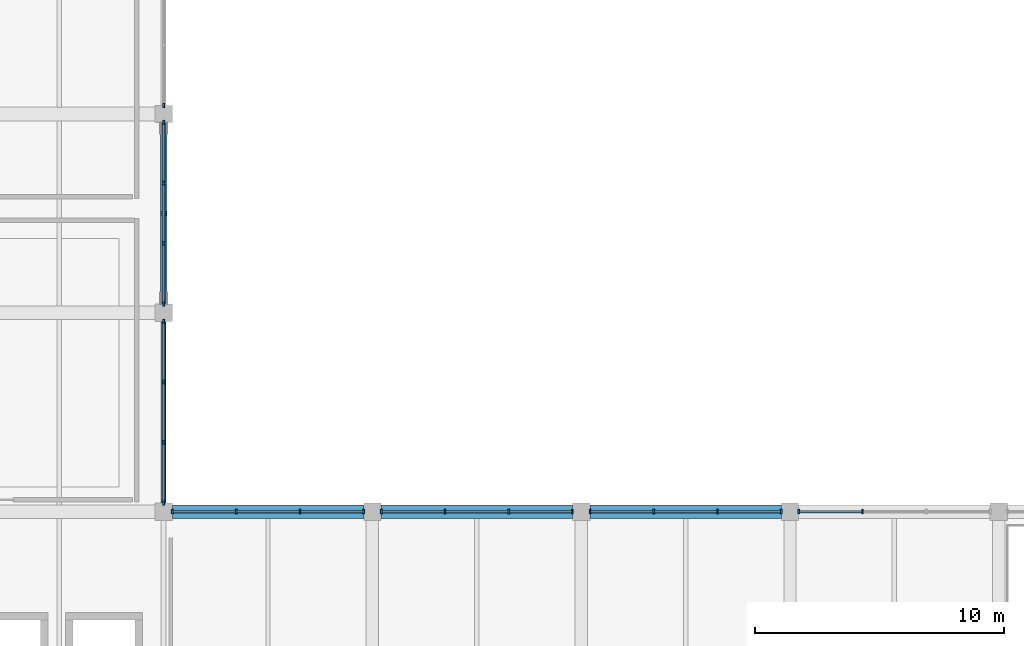
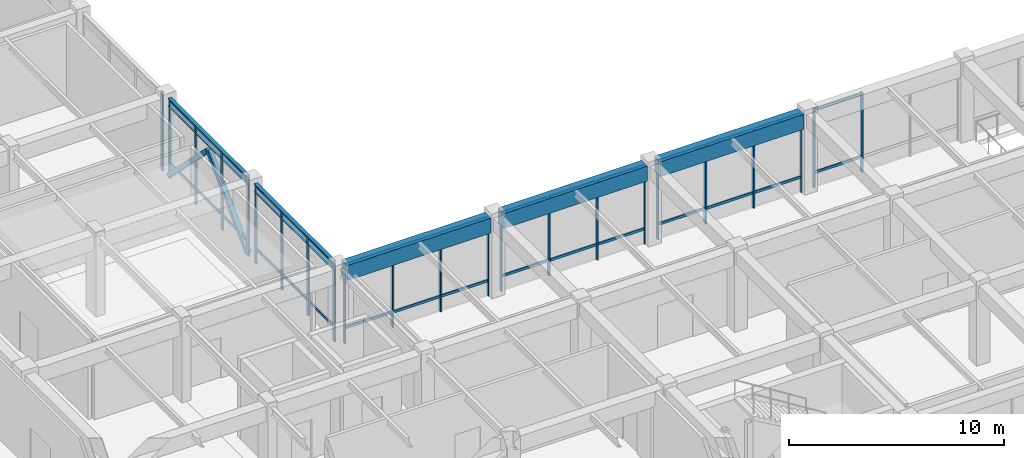
# One storey, part 20 of 76: 57 members, 5 beams, 7 elements without a shape of their own.
"""IFC4 building model written with IfcOpenShell, lengths in metres."""

from ifc_helpers import new_model, si_unit, direction, frame, origin, origin_2d, place, context, subcontext, project, spatial, rectangle, hollow_rectangle, i_section, extrude, material, layer, layer_set, material_profile, profile_set, type_object, element, aggregate, save


model = new_model("IFC4")

# Units and contexts
model_context = context("Model", 3, precision=1e-05, world=origin(), true_north=direction((0.0, 1.0)))
body_context = subcontext(model_context, "Body", "Model", "MODEL_VIEW")
ifc_project = project(units=[si_unit("LENGTHUNIT", "METRE"), si_unit("AREAUNIT", "SQUARE_METRE"), si_unit("VOLUMEUNIT", "CUBIC_METRE"), si_unit("PLANEANGLEUNIT", "RADIAN"), si_unit("MASSUNIT", "GRAM", prefix="KILO")], contexts=[model_context])

# Site, building, storey
site_placement = place(None, origin())
site = spatial("IfcSite", under=ifc_project, at=site_placement, CompositionType="ELEMENT")
building_placement = place(site_placement, origin())
building = spatial("IfcBuilding", under=site, at=building_placement, Name="Naruveol Harbour Congress Hotel", CompositionType="ELEMENT")
storey_placement = place(building_placement, frame((0.0, 0.0, 11.39990234375)))
storey = spatial("IfcBuildingStorey", under=building, at=storey_placement, Name="L02", CompositionType="ELEMENT", Elevation=11.39990234375)

# Beams
ifc_material_1 = material(Name="Concrete C40/50", Category="concrete")
ifc_material_profile_1 = material_profile(ifc_material_1, rectangle(XDim=0.550048828125, YDim=0.85009765625, at=origin_2d()), Name="RCB-550x850")
ifc_profile_set_1 = profile_set([ifc_material_profile_1], Name="Concrete C40/50")
beam_type_1 = type_object("IfcBeamType", Name="RC PRIMARY GIRDER 550X850", PredefinedType="BEAM", material=ifc_profile_set_1)
for number, where, z_axis, x_axis, name in (
    (1, (67.5458984375, 32.0, 4.114990234375), (1.0, 0.0, 0.0), (0.0, 1.0, 0.0), "Floor girder L03 CB2"),
    (2, (75.946044921875, 32.0, 4.125), (1.0, 0.0, 0.0), (0.0, 1.0, 0.0), "Floor girder L03 CB2"),
    (3, (84.345947265625, 32.0, 4.125), (1.0, 0.0, 0.0), (0.0, 1.0, 0.0), "Floor girder L03 CB2"),
):
    element("IfcBeam", number, at=place(storey_placement, frame(where, z_axis=z_axis, x_axis=x_axis)), inside=storey, type_object=beam_type_1, Name=name, PredefinedType="BEAM", context=body_context, shape_type="SweptSolid", body=[
        extrude(rectangle(XDim=0.550048828125, YDim=0.85009765625, at=origin_2d()), origin(), (0.0, 0.0, 1.0), 7.7080078125),
    ])

# Members
ifc_material_2 = material(Name="Steel SN490", Category="steel")
ifc_material_profile_2 = material_profile(ifc_material_2, hollow_rectangle(XDim=0.25, YDim=0.25, WallThickness=0.011962890625, at=origin_2d()), Name="SHS-250x250x12")
ifc_profile_set_2 = profile_set([ifc_material_profile_2], Name="Steel SN490")
member_type_1 = type_object("IfcMemberType", Name="STEEL LATERAL FRAME BRACE SHS250", PredefinedType="BRACE", material=ifc_profile_set_2)
for number, where, z_axis, x_axis, name in (
    (4, (67.199951171875, 40.340087890625, 0.16015625), (0.0, 0.710013585149, 0.704187978387), (-1.0, 0.0, 0.0), "Lateral chevron brace L02 #20A"),
    (5, (67.199951171875, 47.659912109375, 0.16015625), (0.0, -0.710013585149, 0.704187978387), (1.0, 0.0, 0.0), "Lateral chevron brace L02 #20B"),
):
    element("IfcMember", number, at=place(storey_placement, frame(where, z_axis=z_axis, x_axis=x_axis)), inside=storey, type_object=member_type_1, Name=name, PredefinedType="BRACE", context=body_context, shape_type="SweptSolid", body=[
        extrude(hollow_rectangle(XDim=0.25, YDim=0.25, WallThickness=0.011962890625, at=origin_2d()), origin(), (0.0, 0.0, 1.0), 5.15478515625),
    ])

# Beams
ifc_material_3 = material(Name="Steel SN490", Category="steel")
ifc_material_profile_3 = material_profile(ifc_material_3, i_section(OverallWidth=0.199951171875, OverallDepth=0.449951171875, WebThickness=0.009033203125, FlangeThickness=0.013916015625, at=origin_2d()), Name="H-450x200x9x14")
ifc_profile_set_3 = profile_set([ifc_material_profile_3], Name="Steel SN490")
beam_type_2 = type_object("IfcBeamType", Name="STEEL SPANDREL EDGE BEAM H450", PredefinedType="SPANDREL", material=ifc_profile_set_3)
for number, where, z_axis, x_axis, name in (
    (6, (67.199951171875, 32.345947265625, 4.315185546875), (0.0, 1.0, 0.0), (-1.0, 0.0, 0.0), "Transverse girder L03 SPB2"),
    (7, (67.199951171875, 40.345947265625, 4.315185546875), (0.0, 1.0, 0.0), (-1.0, 0.0, 0.0), "Transverse girder L03 SPB2"),
):
    element("IfcBeam", number, at=place(storey_placement, frame(where, z_axis=z_axis, x_axis=x_axis)), inside=storey, type_object=beam_type_2, Name=name, PredefinedType="SPANDREL", context=body_context, shape_type="SweptSolid", body=[
        extrude(i_section(OverallWidth=0.199951171875, OverallDepth=0.449951171875, WebThickness=0.009033203125, FlangeThickness=0.013916015625, at=origin_2d()), origin(), (0.0, 0.0, 1.0), 7.30810546875),
    ])

# Curtain wall, members
ifc_material_4 = material(Name="Low-E Curtain Wall System", Category="glass")
ifc_layer_1 = layer(ifc_material_4, 0.179931640625)
ifc_layer_set_1 = layer_set([ifc_layer_1], Name="Low-E Curtain Wall System")
curtain_wall_type_1 = type_object("IfcCurtainWallType", Name="UNITISED CURTAIN WALL CW-CTS-42 7700X4500", PredefinedType="USERDEFINED", material=ifc_layer_set_1)
curtain_wall_1_placement = place(storey_placement, origin())
curtain_wall_1 = element("IfcCurtainWall", 8, at=curtain_wall_1_placement, inside=storey, type_object=curtain_wall_type_1, Name="Unitised curtain wall CW-CTS-42 L02", ObjectType="UNITISED GLAZING", PredefinedType="USERDEFINED")
ifc_material_5 = material(Name="Anodised Aluminium 6063-T6", Category="aluminium")
ifc_material_profile_4 = material_profile(ifc_material_5, rectangle(XDim=0.074951171875, YDim=0.179931640625, at=origin_2d()), Name="ALU-75x180")
ifc_profile_set_4 = profile_set([ifc_material_profile_4], Name="Anodised Aluminium 6063-T6")
member_type_2 = type_object("IfcMemberType", Name="THERMAL ALUMINIUM MULLION 75X180", PredefinedType="MULLION", material=ifc_profile_set_4)
member_1_placement = place(storey_placement, frame((67.550048828125, 32.0, 0.0), z_axis=(0.0, 0.0, 1.0), x_axis=(1.0, 0.0, 0.0)))
member_1 = element("IfcMember", 9, at=member_1_placement, type_object=member_type_2, Name="Curtain wall mullion CW-L02-0105-M0", PredefinedType="MULLION", context=body_context, shape_type="SweptSolid", body=[
    extrude(rectangle(XDim=0.074951171875, YDim=0.179931640625, at=origin_2d()), origin(), (0.0, 0.0, 1.0), 4.5),
])
member_2_placement = place(storey_placement, frame((70.11669921875, 32.0, 0.0), z_axis=(0.0, 0.0, 1.0), x_axis=(1.0, 0.0, 0.0)))
member_2 = element("IfcMember", 10, at=member_2_placement, type_object=member_type_2, Name="Curtain wall mullion CW-L02-0105-M1", PredefinedType="MULLION", context=body_context, shape_type="SweptSolid", body=[
    extrude(rectangle(XDim=0.074951171875, YDim=0.179931640625, at=origin_2d()), origin(), (0.0, 0.0, 1.0), 4.5),
])
member_3_placement = place(storey_placement, frame((72.683349609375, 32.0, 0.0), z_axis=(0.0, 0.0, 1.0), x_axis=(1.0, 0.0, 0.0)))
member_3 = element("IfcMember", 11, at=member_3_placement, type_object=member_type_2, Name="Curtain wall mullion CW-L02-0105-M2", PredefinedType="MULLION", context=body_context, shape_type="SweptSolid", body=[
    extrude(rectangle(XDim=0.074951171875, YDim=0.179931640625, at=origin_2d()), origin(), (0.0, 0.0, 1.0), 4.5),
])
member_4_placement = place(storey_placement, frame((75.25, 32.0, 0.0), z_axis=(0.0, 0.0, 1.0), x_axis=(1.0, 0.0, 0.0)))
member_4 = element("IfcMember", 12, at=member_4_placement, type_object=member_type_2, Name="Curtain wall mullion CW-L02-0105-M3", PredefinedType="MULLION", context=body_context, shape_type="SweptSolid", body=[
    extrude(rectangle(XDim=0.074951171875, YDim=0.179931640625, at=origin_2d()), origin(), (0.0, 0.0, 1.0), 4.5),
])

curtain_wall_2_placement = place(storey_placement, origin())
curtain_wall_2 = element("IfcCurtainWall", 13, at=curtain_wall_2_placement, inside=storey, type_object=curtain_wall_type_1, Name="Unitised curtain wall CW-CTS-42 L02", ObjectType="UNITISED GLAZING", PredefinedType="USERDEFINED")
member_5_placement = place(storey_placement, frame((75.949951171875, 32.0, 0.0), z_axis=(0.0, 0.0, 1.0), x_axis=(1.0, 0.0, 0.0)))
member_5 = element("IfcMember", 14, at=member_5_placement, type_object=member_type_2, Name="Curtain wall mullion CW-L02-0107-M0", PredefinedType="MULLION", context=body_context, shape_type="SweptSolid", body=[
    extrude(rectangle(XDim=0.074951171875, YDim=0.179931640625, at=origin_2d()), origin(), (0.0, 0.0, 1.0), 4.5),
])
member_6_placement = place(storey_placement, frame((78.5166015625, 32.0, 0.0), z_axis=(0.0, 0.0, 1.0), x_axis=(1.0, 0.0, 0.0)))
member_6 = element("IfcMember", 15, at=member_6_placement, type_object=member_type_2, Name="Curtain wall mullion CW-L02-0107-M1", PredefinedType="MULLION", context=body_context, shape_type="SweptSolid", body=[
    extrude(rectangle(XDim=0.074951171875, YDim=0.179931640625, at=origin_2d()), origin(), (0.0, 0.0, 1.0), 4.5),
])
member_7_placement = place(storey_placement, frame((81.083251953125, 32.0, 0.0), z_axis=(0.0, 0.0, 1.0), x_axis=(1.0, 0.0, 0.0)))
member_7 = element("IfcMember", 16, at=member_7_placement, type_object=member_type_2, Name="Curtain wall mullion CW-L02-0107-M2", PredefinedType="MULLION", context=body_context, shape_type="SweptSolid", body=[
    extrude(rectangle(XDim=0.074951171875, YDim=0.179931640625, at=origin_2d()), origin(), (0.0, 0.0, 1.0), 4.5),
])
member_8_placement = place(storey_placement, frame((83.64990234375, 32.0, 0.0), z_axis=(0.0, 0.0, 1.0), x_axis=(1.0, 0.0, 0.0)))
member_8 = element("IfcMember", 17, at=member_8_placement, type_object=member_type_2, Name="Curtain wall mullion CW-L02-0107-M3", PredefinedType="MULLION", context=body_context, shape_type="SweptSolid", body=[
    extrude(rectangle(XDim=0.074951171875, YDim=0.179931640625, at=origin_2d()), origin(), (0.0, 0.0, 1.0), 4.5),
])

curtain_wall_3_placement = place(storey_placement, origin())
curtain_wall_3 = element("IfcCurtainWall", 18, at=curtain_wall_3_placement, inside=storey, type_object=curtain_wall_type_1, Name="Unitised curtain wall CW-CTS-42 L02", ObjectType="UNITISED GLAZING", PredefinedType="USERDEFINED")
member_9_placement = place(storey_placement, frame((84.35009765625, 32.0, 0.0), z_axis=(0.0, 0.0, 1.0), x_axis=(1.0, 0.0, 0.0)))
member_9 = element("IfcMember", 19, at=member_9_placement, type_object=member_type_2, Name="Curtain wall mullion CW-L02-0109-M0", PredefinedType="MULLION", context=body_context, shape_type="SweptSolid", body=[
    extrude(rectangle(XDim=0.074951171875, YDim=0.179931640625, at=origin_2d()), origin(), (0.0, 0.0, 1.0), 4.5),
])
member_10_placement = place(storey_placement, frame((86.916748046875, 32.0, 0.0), z_axis=(0.0, 0.0, 1.0), x_axis=(1.0, 0.0, 0.0)))
member_10 = element("IfcMember", 20, at=member_10_placement, type_object=member_type_2, Name="Curtain wall mullion CW-L02-0109-M1", PredefinedType="MULLION", context=body_context, shape_type="SweptSolid", body=[
    extrude(rectangle(XDim=0.074951171875, YDim=0.179931640625, at=origin_2d()), origin(), (0.0, 0.0, 1.0), 4.5),
])
member_11_placement = place(storey_placement, frame((89.4833984375, 32.0, 0.0), z_axis=(0.0, 0.0, 1.0), x_axis=(1.0, 0.0, 0.0)))
member_11 = element("IfcMember", 21, at=member_11_placement, type_object=member_type_2, Name="Curtain wall mullion CW-L02-0109-M2", PredefinedType="MULLION", context=body_context, shape_type="SweptSolid", body=[
    extrude(rectangle(XDim=0.074951171875, YDim=0.179931640625, at=origin_2d()), origin(), (0.0, 0.0, 1.0), 4.5),
])
member_12_placement = place(storey_placement, frame((92.050048828125, 32.0, 0.0), z_axis=(0.0, 0.0, 1.0), x_axis=(1.0, 0.0, 0.0)))
member_12 = element("IfcMember", 22, at=member_12_placement, type_object=member_type_2, Name="Curtain wall mullion CW-L02-0109-M3", PredefinedType="MULLION", context=body_context, shape_type="SweptSolid", body=[
    extrude(rectangle(XDim=0.074951171875, YDim=0.179931640625, at=origin_2d()), origin(), (0.0, 0.0, 1.0), 4.5),
])

curtain_wall_4_placement = place(storey_placement, origin())
curtain_wall_4 = element("IfcCurtainWall", 23, at=curtain_wall_4_placement, inside=storey, type_object=curtain_wall_type_1, Name="Unitised curtain wall CW-CTS-42 L02", ObjectType="UNITISED GLAZING", PredefinedType="USERDEFINED")
member_13_placement = place(storey_placement, frame((92.75, 32.0, 0.0), z_axis=(0.0, 0.0, 1.0), x_axis=(1.0, 0.0, 0.0)))
member_13 = element("IfcMember", 24, at=member_13_placement, type_object=member_type_2, Name="Curtain wall mullion CW-L02-0111-M0", PredefinedType="MULLION", context=body_context, shape_type="SweptSolid", body=[
    extrude(rectangle(XDim=0.074951171875, YDim=0.179931640625, at=origin_2d()), origin(), (0.0, 0.0, 1.0), 4.5),
])
member_14_placement = place(storey_placement, frame((95.316650390625, 32.0, 0.0), z_axis=(0.0, 0.0, 1.0), x_axis=(1.0, 0.0, 0.0)))
member_14 = element("IfcMember", 25, at=member_14_placement, type_object=member_type_2, Name="Curtain wall mullion CW-L02-0111-M1", PredefinedType="MULLION", context=body_context, shape_type="SweptSolid", body=[
    extrude(rectangle(XDim=0.074951171875, YDim=0.179931640625, at=origin_2d()), origin(), (0.0, 0.0, 1.0), 4.5),
])

ifc_material_6 = material(Name="Low-E Curtain Wall System", Category="glass")
ifc_layer_2 = layer(ifc_material_6, 0.179931640625)
ifc_layer_set_2 = layer_set([ifc_layer_2], Name="Low-E Curtain Wall System")
curtain_wall_type_2 = type_object("IfcCurtainWallType", Name="UNITISED CURTAIN WALL CW-CTW-43 7300X4500", PredefinedType="USERDEFINED", material=ifc_layer_set_2)
curtain_wall_5_placement = place(storey_placement, origin())
curtain_wall_5 = element("IfcCurtainWall", 26, at=curtain_wall_5_placement, inside=storey, type_object=curtain_wall_type_2, Name="Unitised curtain wall CW-CTW-43 L02", ObjectType="UNITISED GLAZING", PredefinedType="USERDEFINED")
member_15_placement = place(storey_placement, frame((67.199951171875, 32.35009765625, 0.0), z_axis=(0.0, 0.0, 1.0), x_axis=(1.0, 0.0, 0.0)))
member_15 = element("IfcMember", 27, at=member_15_placement, type_object=member_type_2, Name="Curtain wall mullion CW-L02-0114-M0", PredefinedType="MULLION", context=body_context, shape_type="SweptSolid", body=[
    extrude(rectangle(XDim=0.074951171875, YDim=0.179931640625, at=origin_2d()), origin(), (0.0, 0.0, 1.0), 4.5),
])
member_16_placement = place(storey_placement, frame((67.199951171875, 34.783203125, 0.0), z_axis=(0.0, 0.0, 1.0), x_axis=(1.0, 0.0, 0.0)))
member_16 = element("IfcMember", 28, at=member_16_placement, type_object=member_type_2, Name="Curtain wall mullion CW-L02-0114-M1", PredefinedType="MULLION", context=body_context, shape_type="SweptSolid", body=[
    extrude(rectangle(XDim=0.074951171875, YDim=0.179931640625, at=origin_2d()), origin(), (0.0, 0.0, 1.0), 4.5),
])
member_17_placement = place(storey_placement, frame((67.199951171875, 37.216796875, 0.0), z_axis=(0.0, 0.0, 1.0), x_axis=(1.0, 0.0, 0.0)))
member_17 = element("IfcMember", 29, at=member_17_placement, type_object=member_type_2, Name="Curtain wall mullion CW-L02-0114-M2", PredefinedType="MULLION", context=body_context, shape_type="SweptSolid", body=[
    extrude(rectangle(XDim=0.074951171875, YDim=0.179931640625, at=origin_2d()), origin(), (0.0, 0.0, 1.0), 4.5),
])
member_18_placement = place(storey_placement, frame((67.199951171875, 39.64990234375, 0.0), z_axis=(0.0, 0.0, 1.0), x_axis=(1.0, 0.0, 0.0)))
member_18 = element("IfcMember", 30, at=member_18_placement, type_object=member_type_2, Name="Curtain wall mullion CW-L02-0114-M3", PredefinedType="MULLION", context=body_context, shape_type="SweptSolid", body=[
    extrude(rectangle(XDim=0.074951171875, YDim=0.179931640625, at=origin_2d()), origin(), (0.0, 0.0, 1.0), 4.5),
])

curtain_wall_6_placement = place(storey_placement, origin())
curtain_wall_6 = element("IfcCurtainWall", 31, at=curtain_wall_6_placement, inside=storey, type_object=curtain_wall_type_2, Name="Unitised curtain wall CW-CTW-43 L02", ObjectType="UNITISED GLAZING", PredefinedType="USERDEFINED")
member_19_placement = place(storey_placement, frame((67.199951171875, 40.35009765625, 0.0), z_axis=(0.0, 0.0, 1.0), x_axis=(1.0, 0.0, 0.0)))
member_19 = element("IfcMember", 32, at=member_19_placement, type_object=member_type_2, Name="Curtain wall mullion CW-L02-0116-M0", PredefinedType="MULLION", context=body_context, shape_type="SweptSolid", body=[
    extrude(rectangle(XDim=0.074951171875, YDim=0.179931640625, at=origin_2d()), origin(), (0.0, 0.0, 1.0), 4.5),
])
member_20_placement = place(storey_placement, frame((67.199951171875, 42.783203125, 0.0), z_axis=(0.0, 0.0, 1.0), x_axis=(1.0, 0.0, 0.0)))
member_20 = element("IfcMember", 33, at=member_20_placement, type_object=member_type_2, Name="Curtain wall mullion CW-L02-0116-M1", PredefinedType="MULLION", context=body_context, shape_type="SweptSolid", body=[
    extrude(rectangle(XDim=0.074951171875, YDim=0.179931640625, at=origin_2d()), origin(), (0.0, 0.0, 1.0), 4.5),
])
member_21_placement = place(storey_placement, frame((67.199951171875, 45.216796875, 0.0), z_axis=(0.0, 0.0, 1.0), x_axis=(1.0, 0.0, 0.0)))
member_21 = element("IfcMember", 34, at=member_21_placement, type_object=member_type_2, Name="Curtain wall mullion CW-L02-0116-M2", PredefinedType="MULLION", context=body_context, shape_type="SweptSolid", body=[
    extrude(rectangle(XDim=0.074951171875, YDim=0.179931640625, at=origin_2d()), origin(), (0.0, 0.0, 1.0), 4.5),
])
member_22_placement = place(storey_placement, frame((67.199951171875, 47.64990234375, 0.0), z_axis=(0.0, 0.0, 1.0), x_axis=(1.0, 0.0, 0.0)))
member_22 = element("IfcMember", 35, at=member_22_placement, type_object=member_type_2, Name="Curtain wall mullion CW-L02-0116-M3", PredefinedType="MULLION", context=body_context, shape_type="SweptSolid", body=[
    extrude(rectangle(XDim=0.074951171875, YDim=0.179931640625, at=origin_2d()), origin(), (0.0, 0.0, 1.0), 4.5),
])

# Curtain wall, member
curtain_wall_7_placement = place(storey_placement, origin())
curtain_wall_7 = element("IfcCurtainWall", 36, at=curtain_wall_7_placement, inside=storey, type_object=curtain_wall_type_2, Name="Unitised curtain wall CW-CTW-43 L02", ObjectType="UNITISED GLAZING", PredefinedType="USERDEFINED")
member_23_placement = place(storey_placement, frame((67.199951171875, 48.35009765625, 0.0), z_axis=(0.0, 0.0, 1.0), x_axis=(1.0, 0.0, 0.0)))
member_23 = element("IfcMember", 37, at=member_23_placement, type_object=member_type_2, Name="Curtain wall mullion CW-L02-0118-M0", PredefinedType="MULLION", context=body_context, shape_type="SweptSolid", body=[
    extrude(rectangle(XDim=0.074951171875, YDim=0.179931640625, at=origin_2d()), origin(), (0.0, 0.0, 1.0), 4.5),
])
aggregate(curtain_wall_7, [member_23])

# Member
ifc_material_7 = material(Name="Anodised Aluminium 6063-T6", Category="aluminium")
ifc_material_profile_5 = material_profile(ifc_material_7, rectangle(XDim=0.074951171875, YDim=0.14990234375, at=origin_2d()), Name="ALU-75x150")
ifc_profile_set_5 = profile_set([ifc_material_profile_5], Name="Anodised Aluminium 6063-T6")
member_type_3 = type_object("IfcMemberType", Name="THERMAL ALUMINIUM TRANSOM 75X150", PredefinedType="USERDEFINED", material=ifc_profile_set_5)
member_24_placement = place(storey_placement, frame((67.590087890625, 32.0, 0.85009765625), z_axis=(1.0, 0.0, 0.0), x_axis=(0.0, 1.0, 0.0)))
member_24 = element("IfcMember", 38, at=member_24_placement, type_object=member_type_3, Name="Curtain wall transom CW-L02-0105-T0.1", ObjectType="TRANSOM", PredefinedType="USERDEFINED", context=body_context, shape_type="SweptSolid", body=[
    extrude(rectangle(XDim=0.074951171875, YDim=0.14990234375, at=origin_2d()), origin(), (0.0, 0.0, 1.0), 2.486572265625),
])

member_25_placement = place(storey_placement, frame((67.590087890625, 32.0, 4.420166015625), z_axis=(1.0, 0.0, 0.0), x_axis=(0.0, 1.0, 0.0)))
member_25 = element("IfcMember", 39, at=member_25_placement, type_object=member_type_3, Name="Curtain wall transom CW-L02-0105-T0.2", ObjectType="TRANSOM", PredefinedType="USERDEFINED", context=body_context, shape_type="SweptSolid", body=[
    extrude(rectangle(XDim=0.074951171875, YDim=0.14990234375, at=origin_2d()), origin(), (0.0, 0.0, 1.0), 2.486572265625),
])

member_26_placement = place(storey_placement, frame((70.15673828125, 32.0, 0.85009765625), z_axis=(1.0, 0.0, 0.0), x_axis=(0.0, 1.0, 0.0)))
member_26 = element("IfcMember", 40, at=member_26_placement, type_object=member_type_3, Name="Curtain wall transom CW-L02-0105-T1.1", ObjectType="TRANSOM", PredefinedType="USERDEFINED", context=body_context, shape_type="SweptSolid", body=[
    extrude(rectangle(XDim=0.074951171875, YDim=0.14990234375, at=origin_2d()), origin(), (0.0, 0.0, 1.0), 2.486572265625),
])

member_27_placement = place(storey_placement, frame((70.15673828125, 32.0, 4.420166015625), z_axis=(1.0, 0.0, 0.0), x_axis=(0.0, 1.0, 0.0)))
member_27 = element("IfcMember", 41, at=member_27_placement, type_object=member_type_3, Name="Curtain wall transom CW-L02-0105-T1.2", ObjectType="TRANSOM", PredefinedType="USERDEFINED", context=body_context, shape_type="SweptSolid", body=[
    extrude(rectangle(XDim=0.074951171875, YDim=0.14990234375, at=origin_2d()), origin(), (0.0, 0.0, 1.0), 2.486572265625),
])

member_28_placement = place(storey_placement, frame((72.723388671875, 32.0, 0.85009765625), z_axis=(1.0, 0.0, 0.0), x_axis=(0.0, 1.0, 0.0)))
member_28 = element("IfcMember", 42, at=member_28_placement, type_object=member_type_3, Name="Curtain wall transom CW-L02-0105-T2.1", ObjectType="TRANSOM", PredefinedType="USERDEFINED", context=body_context, shape_type="SweptSolid", body=[
    extrude(rectangle(XDim=0.074951171875, YDim=0.14990234375, at=origin_2d()), origin(), (0.0, 0.0, 1.0), 2.486572265625),
])

member_29_placement = place(storey_placement, frame((72.723388671875, 32.0, 4.420166015625), z_axis=(1.0, 0.0, 0.0), x_axis=(0.0, 1.0, 0.0)))
member_29 = element("IfcMember", 43, at=member_29_placement, type_object=member_type_3, Name="Curtain wall transom CW-L02-0105-T2.2", ObjectType="TRANSOM", PredefinedType="USERDEFINED", context=body_context, shape_type="SweptSolid", body=[
    extrude(rectangle(XDim=0.074951171875, YDim=0.14990234375, at=origin_2d()), origin(), (0.0, 0.0, 1.0), 2.486572265625),
])

aggregate(curtain_wall_1, [member_1, member_2, member_3, member_4, member_24, member_25, member_26, member_27, member_28, member_29])

member_30_placement = place(storey_placement, frame((75.989990234375, 32.0, 0.85009765625), z_axis=(1.0, 0.0, 0.0), x_axis=(0.0, 1.0, 0.0)))
member_30 = element("IfcMember", 44, at=member_30_placement, type_object=member_type_3, Name="Curtain wall transom CW-L02-0107-T0.1", ObjectType="TRANSOM", PredefinedType="USERDEFINED", context=body_context, shape_type="SweptSolid", body=[
    extrude(rectangle(XDim=0.074951171875, YDim=0.14990234375, at=origin_2d()), origin(), (0.0, 0.0, 1.0), 2.48681640625),
])

member_31_placement = place(storey_placement, frame((75.989990234375, 32.0, 4.420166015625), z_axis=(1.0, 0.0, 0.0), x_axis=(0.0, 1.0, 0.0)))
member_31 = element("IfcMember", 45, at=member_31_placement, type_object=member_type_3, Name="Curtain wall transom CW-L02-0107-T0.2", ObjectType="TRANSOM", PredefinedType="USERDEFINED", context=body_context, shape_type="SweptSolid", body=[
    extrude(rectangle(XDim=0.074951171875, YDim=0.14990234375, at=origin_2d()), origin(), (0.0, 0.0, 1.0), 2.48681640625),
])

member_32_placement = place(storey_placement, frame((78.556640625, 32.0, 0.85009765625), z_axis=(1.0, 0.0, 0.0), x_axis=(0.0, 1.0, 0.0)))
member_32 = element("IfcMember", 46, at=member_32_placement, type_object=member_type_3, Name="Curtain wall transom CW-L02-0107-T1.1", ObjectType="TRANSOM", PredefinedType="USERDEFINED", context=body_context, shape_type="SweptSolid", body=[
    extrude(rectangle(XDim=0.074951171875, YDim=0.14990234375, at=origin_2d()), origin(), (0.0, 0.0, 1.0), 2.486572265625),
])

member_33_placement = place(storey_placement, frame((78.556640625, 32.0, 4.420166015625), z_axis=(1.0, 0.0, 0.0), x_axis=(0.0, 1.0, 0.0)))
member_33 = element("IfcMember", 47, at=member_33_placement, type_object=member_type_3, Name="Curtain wall transom CW-L02-0107-T1.2", ObjectType="TRANSOM", PredefinedType="USERDEFINED", context=body_context, shape_type="SweptSolid", body=[
    extrude(rectangle(XDim=0.074951171875, YDim=0.14990234375, at=origin_2d()), origin(), (0.0, 0.0, 1.0), 2.486572265625),
])

member_34_placement = place(storey_placement, frame((81.123291015625, 32.0, 0.85009765625), z_axis=(1.0, 0.0, 0.0), x_axis=(0.0, 1.0, 0.0)))
member_34 = element("IfcMember", 48, at=member_34_placement, type_object=member_type_3, Name="Curtain wall transom CW-L02-0107-T2.1", ObjectType="TRANSOM", PredefinedType="USERDEFINED", context=body_context, shape_type="SweptSolid", body=[
    extrude(rectangle(XDim=0.074951171875, YDim=0.14990234375, at=origin_2d()), origin(), (0.0, 0.0, 1.0), 2.48681640625),
])

member_35_placement = place(storey_placement, frame((81.123291015625, 32.0, 4.420166015625), z_axis=(1.0, 0.0, 0.0), x_axis=(0.0, 1.0, 0.0)))
member_35 = element("IfcMember", 49, at=member_35_placement, type_object=member_type_3, Name="Curtain wall transom CW-L02-0107-T2.2", ObjectType="TRANSOM", PredefinedType="USERDEFINED", context=body_context, shape_type="SweptSolid", body=[
    extrude(rectangle(XDim=0.074951171875, YDim=0.14990234375, at=origin_2d()), origin(), (0.0, 0.0, 1.0), 2.48681640625),
])

aggregate(curtain_wall_2, [member_5, member_6, member_7, member_8, member_30, member_31, member_32, member_33, member_34, member_35])

member_36_placement = place(storey_placement, frame((84.389892578125, 32.0, 0.85009765625), z_axis=(1.0, 0.0, 0.0), x_axis=(0.0, 1.0, 0.0)))
member_36 = element("IfcMember", 50, at=member_36_placement, type_object=member_type_3, Name="Curtain wall transom CW-L02-0109-T0.1", ObjectType="TRANSOM", PredefinedType="USERDEFINED", context=body_context, shape_type="SweptSolid", body=[
    extrude(rectangle(XDim=0.074951171875, YDim=0.14990234375, at=origin_2d()), origin(), (0.0, 0.0, 1.0), 2.48681640625),
])

member_37_placement = place(storey_placement, frame((84.389892578125, 32.0, 4.420166015625), z_axis=(1.0, 0.0, 0.0), x_axis=(0.0, 1.0, 0.0)))
member_37 = element("IfcMember", 51, at=member_37_placement, type_object=member_type_3, Name="Curtain wall transom CW-L02-0109-T0.2", ObjectType="TRANSOM", PredefinedType="USERDEFINED", context=body_context, shape_type="SweptSolid", body=[
    extrude(rectangle(XDim=0.074951171875, YDim=0.14990234375, at=origin_2d()), origin(), (0.0, 0.0, 1.0), 2.48681640625),
])

member_38_placement = place(storey_placement, frame((86.956787109375, 32.0, 0.85009765625), z_axis=(1.0, 0.0, 0.0), x_axis=(0.0, 1.0, 0.0)))
member_38 = element("IfcMember", 52, at=member_38_placement, type_object=member_type_3, Name="Curtain wall transom CW-L02-0109-T1.1", ObjectType="TRANSOM", PredefinedType="USERDEFINED", context=body_context, shape_type="SweptSolid", body=[
    extrude(rectangle(XDim=0.074951171875, YDim=0.14990234375, at=origin_2d()), origin(), (0.0, 0.0, 1.0), 2.486572265625),
])

member_39_placement = place(storey_placement, frame((86.956787109375, 32.0, 4.420166015625), z_axis=(1.0, 0.0, 0.0), x_axis=(0.0, 1.0, 0.0)))
member_39 = element("IfcMember", 53, at=member_39_placement, type_object=member_type_3, Name="Curtain wall transom CW-L02-0109-T1.2", ObjectType="TRANSOM", PredefinedType="USERDEFINED", context=body_context, shape_type="SweptSolid", body=[
    extrude(rectangle(XDim=0.074951171875, YDim=0.14990234375, at=origin_2d()), origin(), (0.0, 0.0, 1.0), 2.486572265625),
])

member_40_placement = place(storey_placement, frame((89.523193359375, 32.0, 0.85009765625), z_axis=(1.0, 0.0, 0.0), x_axis=(0.0, 1.0, 0.0)))
member_40 = element("IfcMember", 54, at=member_40_placement, type_object=member_type_3, Name="Curtain wall transom CW-L02-0109-T2.1", ObjectType="TRANSOM", PredefinedType="USERDEFINED", context=body_context, shape_type="SweptSolid", body=[
    extrude(rectangle(XDim=0.074951171875, YDim=0.14990234375, at=origin_2d()), origin(), (0.0, 0.0, 1.0), 2.48681640625),
])

member_41_placement = place(storey_placement, frame((89.523193359375, 32.0, 4.420166015625), z_axis=(1.0, 0.0, 0.0), x_axis=(0.0, 1.0, 0.0)))
member_41 = element("IfcMember", 55, at=member_41_placement, type_object=member_type_3, Name="Curtain wall transom CW-L02-0109-T2.2", ObjectType="TRANSOM", PredefinedType="USERDEFINED", context=body_context, shape_type="SweptSolid", body=[
    extrude(rectangle(XDim=0.074951171875, YDim=0.14990234375, at=origin_2d()), origin(), (0.0, 0.0, 1.0), 2.48681640625),
])

aggregate(curtain_wall_3, [member_9, member_10, member_11, member_12, member_36, member_37, member_38, member_39, member_40, member_41])

member_42_placement = place(storey_placement, frame((92.7900390625, 32.0, 0.85009765625), z_axis=(1.0, 0.0, 0.0), x_axis=(0.0, 1.0, 0.0)))
member_42 = element("IfcMember", 56, at=member_42_placement, type_object=member_type_3, Name="Curtain wall transom CW-L02-0111-T0.1", ObjectType="TRANSOM", PredefinedType="USERDEFINED", context=body_context, shape_type="SweptSolid", body=[
    extrude(rectangle(XDim=0.074951171875, YDim=0.14990234375, at=origin_2d()), origin(), (0.0, 0.0, 1.0), 2.486572265625),
])

member_43_placement = place(storey_placement, frame((92.7900390625, 32.0, 4.420166015625), z_axis=(1.0, 0.0, 0.0), x_axis=(0.0, 1.0, 0.0)))
member_43 = element("IfcMember", 57, at=member_43_placement, type_object=member_type_3, Name="Curtain wall transom CW-L02-0111-T0.2", ObjectType="TRANSOM", PredefinedType="USERDEFINED", context=body_context, shape_type="SweptSolid", body=[
    extrude(rectangle(XDim=0.074951171875, YDim=0.14990234375, at=origin_2d()), origin(), (0.0, 0.0, 1.0), 2.486572265625),
])

aggregate(curtain_wall_4, [member_13, member_14, member_42, member_43])

member_44_placement = place(storey_placement, frame((67.199951171875, 32.389892578125, 0.85009765625), z_axis=(0.0, 1.0, 0.0), x_axis=(-1.0, 0.0, 0.0)))
member_44 = element("IfcMember", 58, at=member_44_placement, type_object=member_type_3, Name="Curtain wall transom CW-L02-0114-T0.1", ObjectType="TRANSOM", PredefinedType="USERDEFINED", context=body_context, shape_type="SweptSolid", body=[
    extrude(rectangle(XDim=0.074951171875, YDim=0.14990234375, at=origin_2d()), origin(), (0.0, 0.0, 1.0), 2.353515625),
])

member_45_placement = place(storey_placement, frame((67.199951171875, 32.389892578125, 4.420166015625), z_axis=(0.0, 1.0, 0.0), x_axis=(-1.0, 0.0, 0.0)))
member_45 = element("IfcMember", 59, at=member_45_placement, type_object=member_type_3, Name="Curtain wall transom CW-L02-0114-T0.2", ObjectType="TRANSOM", PredefinedType="USERDEFINED", context=body_context, shape_type="SweptSolid", body=[
    extrude(rectangle(XDim=0.074951171875, YDim=0.14990234375, at=origin_2d()), origin(), (0.0, 0.0, 1.0), 2.353515625),
])

member_46_placement = place(storey_placement, frame((67.199951171875, 34.8232421875, 0.85009765625), z_axis=(0.0, 1.0, 0.0), x_axis=(-1.0, 0.0, 0.0)))
member_46 = element("IfcMember", 60, at=member_46_placement, type_object=member_type_3, Name="Curtain wall transom CW-L02-0114-T1.1", ObjectType="TRANSOM", PredefinedType="USERDEFINED", context=body_context, shape_type="SweptSolid", body=[
    extrude(rectangle(XDim=0.074951171875, YDim=0.14990234375, at=origin_2d()), origin(), (0.0, 0.0, 1.0), 2.353515625),
])

member_47_placement = place(storey_placement, frame((67.199951171875, 34.8232421875, 4.420166015625), z_axis=(0.0, 1.0, 0.0), x_axis=(-1.0, 0.0, 0.0)))
member_47 = element("IfcMember", 61, at=member_47_placement, type_object=member_type_3, Name="Curtain wall transom CW-L02-0114-T1.2", ObjectType="TRANSOM", PredefinedType="USERDEFINED", context=body_context, shape_type="SweptSolid", body=[
    extrude(rectangle(XDim=0.074951171875, YDim=0.14990234375, at=origin_2d()), origin(), (0.0, 0.0, 1.0), 2.353515625),
])

member_48_placement = place(storey_placement, frame((67.199951171875, 37.256591796875, 0.85009765625), z_axis=(0.0, 1.0, 0.0), x_axis=(-1.0, 0.0, 0.0)))
member_48 = element("IfcMember", 62, at=member_48_placement, type_object=member_type_3, Name="Curtain wall transom CW-L02-0114-T2.1", ObjectType="TRANSOM", PredefinedType="USERDEFINED", context=body_context, shape_type="SweptSolid", body=[
    extrude(rectangle(XDim=0.074951171875, YDim=0.14990234375, at=origin_2d()), origin(), (0.0, 0.0, 1.0), 2.353515625),
])

member_49_placement = place(storey_placement, frame((67.199951171875, 37.256591796875, 4.420166015625), z_axis=(0.0, 1.0, 0.0), x_axis=(-1.0, 0.0, 0.0)))
member_49 = element("IfcMember", 63, at=member_49_placement, type_object=member_type_3, Name="Curtain wall transom CW-L02-0114-T2.2", ObjectType="TRANSOM", PredefinedType="USERDEFINED", context=body_context, shape_type="SweptSolid", body=[
    extrude(rectangle(XDim=0.074951171875, YDim=0.14990234375, at=origin_2d()), origin(), (0.0, 0.0, 1.0), 2.353515625),
])

aggregate(curtain_wall_5, [member_15, member_16, member_17, member_18, member_44, member_45, member_46, member_47, member_48, member_49])

member_50_placement = place(storey_placement, frame((67.199951171875, 40.389892578125, 0.85009765625), z_axis=(0.0, 1.0, 0.0), x_axis=(-1.0, 0.0, 0.0)))
member_50 = element("IfcMember", 64, at=member_50_placement, type_object=member_type_3, Name="Curtain wall transom CW-L02-0116-T0.1", ObjectType="TRANSOM", PredefinedType="USERDEFINED", context=body_context, shape_type="SweptSolid", body=[
    extrude(rectangle(XDim=0.074951171875, YDim=0.14990234375, at=origin_2d()), origin(), (0.0, 0.0, 1.0), 2.353515625),
])

member_51_placement = place(storey_placement, frame((67.199951171875, 40.389892578125, 4.420166015625), z_axis=(0.0, 1.0, 0.0), x_axis=(-1.0, 0.0, 0.0)))
member_51 = element("IfcMember", 65, at=member_51_placement, type_object=member_type_3, Name="Curtain wall transom CW-L02-0116-T0.2", ObjectType="TRANSOM", PredefinedType="USERDEFINED", context=body_context, shape_type="SweptSolid", body=[
    extrude(rectangle(XDim=0.074951171875, YDim=0.14990234375, at=origin_2d()), origin(), (0.0, 0.0, 1.0), 2.353515625),
])

member_52_placement = place(storey_placement, frame((67.199951171875, 42.8232421875, 0.85009765625), z_axis=(0.0, 1.0, 0.0), x_axis=(-1.0, 0.0, 0.0)))
member_52 = element("IfcMember", 66, at=member_52_placement, type_object=member_type_3, Name="Curtain wall transom CW-L02-0116-T1.1", ObjectType="TRANSOM", PredefinedType="USERDEFINED", context=body_context, shape_type="SweptSolid", body=[
    extrude(rectangle(XDim=0.074951171875, YDim=0.14990234375, at=origin_2d()), origin(), (0.0, 0.0, 1.0), 2.353515625),
])

member_53_placement = place(storey_placement, frame((67.199951171875, 42.8232421875, 4.420166015625), z_axis=(0.0, 1.0, 0.0), x_axis=(-1.0, 0.0, 0.0)))
member_53 = element("IfcMember", 67, at=member_53_placement, type_object=member_type_3, Name="Curtain wall transom CW-L02-0116-T1.2", ObjectType="TRANSOM", PredefinedType="USERDEFINED", context=body_context, shape_type="SweptSolid", body=[
    extrude(rectangle(XDim=0.074951171875, YDim=0.14990234375, at=origin_2d()), origin(), (0.0, 0.0, 1.0), 2.353515625),
])

member_54_placement = place(storey_placement, frame((67.199951171875, 45.256591796875, 0.85009765625), z_axis=(0.0, 1.0, 0.0), x_axis=(-1.0, 0.0, 0.0)))
member_54 = element("IfcMember", 68, at=member_54_placement, type_object=member_type_3, Name="Curtain wall transom CW-L02-0116-T2.1", ObjectType="TRANSOM", PredefinedType="USERDEFINED", context=body_context, shape_type="SweptSolid", body=[
    extrude(rectangle(XDim=0.074951171875, YDim=0.14990234375, at=origin_2d()), origin(), (0.0, 0.0, 1.0), 2.353515625),
])

member_55_placement = place(storey_placement, frame((67.199951171875, 45.256591796875, 4.420166015625), z_axis=(0.0, 1.0, 0.0), x_axis=(-1.0, 0.0, 0.0)))
member_55 = element("IfcMember", 69, at=member_55_placement, type_object=member_type_3, Name="Curtain wall transom CW-L02-0116-T2.2", ObjectType="TRANSOM", PredefinedType="USERDEFINED", context=body_context, shape_type="SweptSolid", body=[
    extrude(rectangle(XDim=0.074951171875, YDim=0.14990234375, at=origin_2d()), origin(), (0.0, 0.0, 1.0), 2.353515625),
])

aggregate(curtain_wall_6, [member_19, member_20, member_21, member_22, member_50, member_51, member_52, member_53, member_54, member_55])

save(model, "model.ifc")
